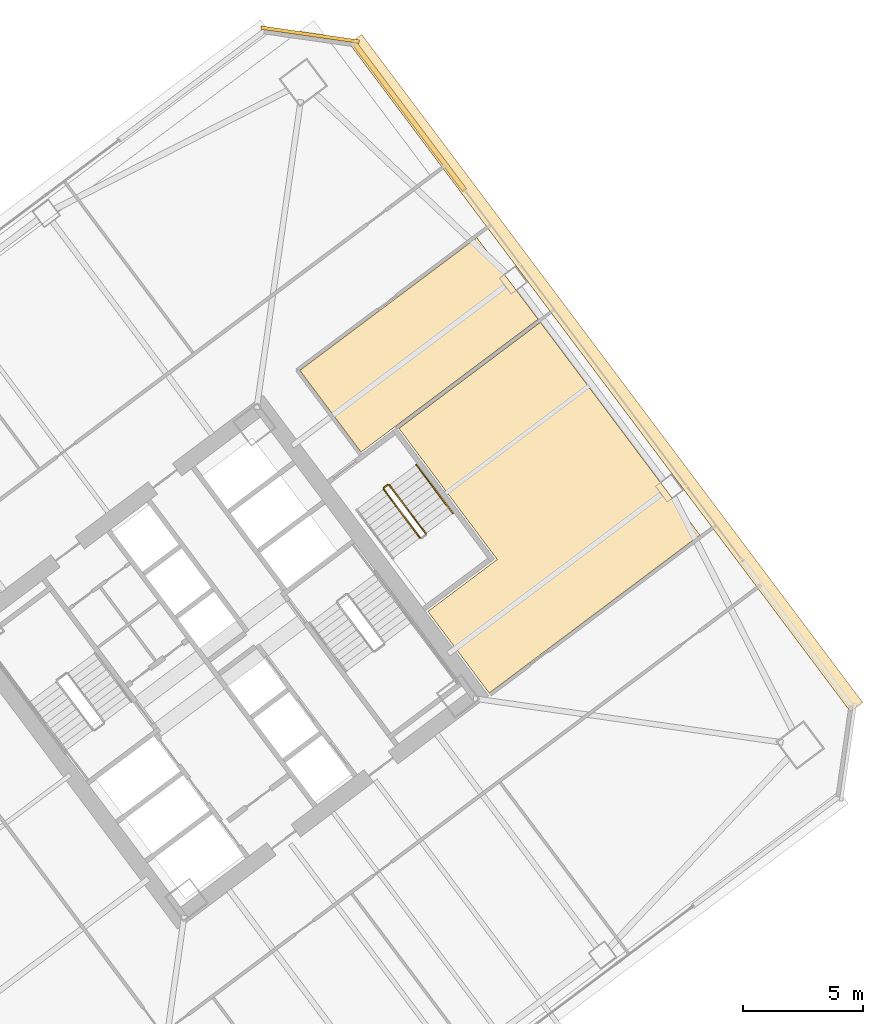
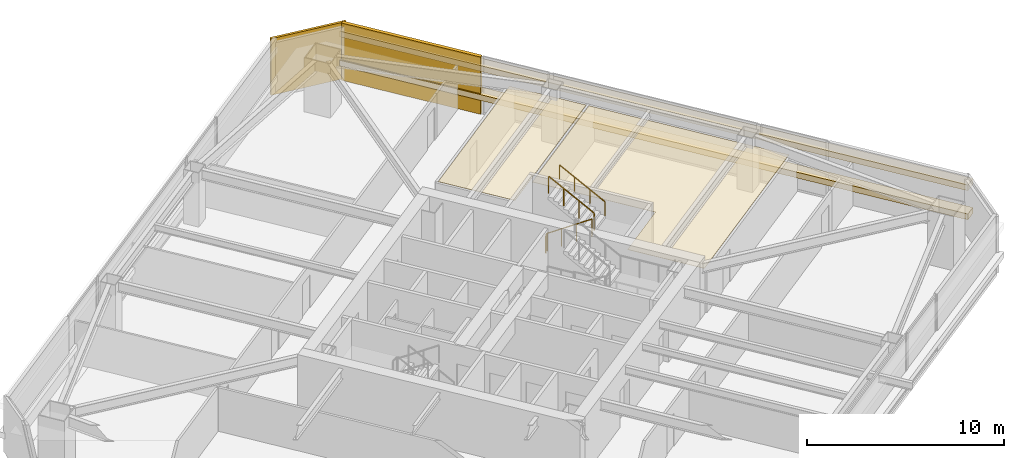
# One storey, part 44 of 44: 6 coverings, 4 railings.
"""IFC4 building model written with IfcOpenShell, lengths in metres."""

from ifc_helpers import new_model, si_unit, direction, frame, origin, origin_2d, place, context, subcontext, project, spatial, polyline, rectangle, outline, extrude, material, layer, layer_set, type_object, element, save


model = new_model("IFC4")

# Units and contexts
model_context = context("Model", 3, precision=1e-05, world=origin(), true_north=direction((0.0, 1.0)))
body_context = subcontext(model_context, "Body", "Model", "MODEL_VIEW")
ifc_project = project(units=[si_unit("LENGTHUNIT", "METRE"), si_unit("AREAUNIT", "SQUARE_METRE"), si_unit("VOLUMEUNIT", "CUBIC_METRE"), si_unit("PLANEANGLEUNIT", "RADIAN"), si_unit("MASSUNIT", "GRAM", prefix="KILO")], contexts=[model_context])

# Site, building, storey
site_placement = place(None, origin())
site = spatial("IfcSite", under=ifc_project, at=site_placement, CompositionType="ELEMENT")
building_placement = place(site_placement, origin())
building = spatial("IfcBuilding", under=site, at=building_placement, Name="Tashvorn Skyway Center", CompositionType="ELEMENT")
storey_placement = place(building_placement, frame((0.0, 0.0, 74.300048828125)))
storey = spatial("IfcBuildingStorey", under=building, at=storey_placement, Name="L19", CompositionType="ELEMENT", Elevation=74.300048828125)

# Coverings
ifc_material_1 = material(Name="Precast concrete C40/50", Category="concrete")
ifc_layer_1 = layer(ifc_material_1, 0.199951171875)
ifc_layer_set_1 = layer_set([ifc_layer_1], Name="Precast concrete C40/50")
covering_type_1 = type_object("IfcCoveringType", Name="COV-BRACE-CLAD", PredefinedType="CLADDING", material=ifc_layer_set_1)
covering_1_placement = place(storey_placement, frame((121.840087890625, 54.679931640625, 0.0), z_axis=(0.0, 0.0, 1.0), x_axis=(0.600000004945, -0.799999996291, 0.0)))
element("IfcCovering", 1, at=covering_1_placement, inside=storey, type_object=covering_type_1, Name="Tower 2 L19 East Unitised Curtain Wall Mega-Brace Cladding Band 1", PredefinedType="CLADDING", context=body_context, shape_type="SweptSolid", body=[
    extrude(rectangle(XDim=7.679931640625, YDim=0.199951171875, at=origin_2d()), origin(), (0.0, 0.0, 1.0), 3.550048828125),
])
ifc_material_2 = material(Name="Mineral-fibre acoustic ceiling tile on suspended grid")
ifc_layer_2 = layer(ifc_material_2, 0.02001953125)
ifc_layer_set_2 = layer_set([ifc_layer_2], Name="Mineral-fibre acoustic ceiling tile on suspended grid")
covering_type_2 = type_object("IfcCoveringType", Name="COV-CEIL-20", PredefinedType="CEILING", material=ifc_layer_set_2)
covering_2_placement = place(storey_placement, frame((0.0, 0.0, 2.682861328125)))
element("IfcCovering", 2, at=covering_2_placement, inside=storey, type_object=covering_type_2, Name="Tower 2 L19 Gallery Showroom Acoustic Ceiling", PredefinedType="CEILING", context=body_context, shape_type="SweptSolid", body=[
    extrude(outline(polyline([(119.840087890625, 40.72998046875), (117.2958984375, 44.1220703125), (124.64794921875, 49.635986328125), (127.19189453125, 46.243896484375), (119.840087890625, 40.72998046875)])), origin(), (0.0, 0.0, 1.0), 0.02001953125),
])
covering_3_placement = place(storey_placement, frame((0.0, 0.0, 2.682861328125)))
element("IfcCovering", 3, at=covering_3_placement, inside=storey, type_object=covering_type_2, Name="Tower 2 L19 Public Restroom Acoustic Ceiling", PredefinedType="CEILING", context=body_context, shape_type="SweptSolid", body=[
    extrude(outline(polyline([(125.159912109375, 30.719970703125), (122.615966796875, 34.112060546875), (125.49609375, 36.27197265625), (121.416015625, 41.7119140625), (127.2880859375, 46.115966796875), (131.367919921875, 40.676025390625), (133.912109375, 37.283935546875), (125.159912109375, 30.719970703125)])), origin(), (0.0, 0.0, 1.0), 0.02001953125),
])
ifc_material_3 = material(Name="Perforated ceramic-coated bronze aluminium solar screen", Category="aluminium")
ifc_layer_3 = layer(ifc_material_3, 0.85009765625)
ifc_layer_set_3 = layer_set([ifc_layer_3], Name="Perforated ceramic-coated bronze aluminium solar screen")
covering_type_3 = type_object("IfcCoveringType", Name="COV-SOLAR-BAND", PredefinedType="CLADDING", material=ifc_layer_set_3)
for number, where, z_axis, x_axis, name in (
    (4, (130.01611328125, 44.011962890625, 0.919921875), (0.0, 0.0, 1.0), (0.600000004945, -0.799999996291, 0.0), "L19 Perforated Ceramic-Metal Solar Screen Louvre Band East 1"),
    (5, (130.01611328125, 44.011962890625, 2.7197265625), (0.0, 0.0, 1.0), (0.600000004945, -0.799999996291, 0.0), "L19 Perforated Ceramic-Metal Solar Screen Louvre Band East 2"),
):
    element("IfcCovering", number, at=place(storey_placement, frame(where, z_axis=z_axis, x_axis=x_axis)), inside=storey, type_object=covering_type_3, Name=name, PredefinedType="CLADDING", context=body_context, shape_type="SweptSolid", body=[
        extrude(rectangle(XDim=34.679931640625, YDim=0.639892578125, at=origin_2d()), origin(), (0.0, 0.0, 1.0), 0.360107421875),
    ])
ifc_layer_4 = layer(ifc_material_1, 0.35009765625)
ifc_layer_set_4 = layer_set([ifc_layer_4], Name="Precast concrete C40/50")
covering_type_4 = type_object("IfcCoveringType", Name="COV-STONE-TRIM", PredefinedType="CLADDING", material=ifc_layer_set_4)
covering_4_placement = place(storey_placement, frame((117.72412109375, 58.068115234375, 0.02001953125), z_axis=(0.0, 0.0, 1.0), x_axis=(0.989949494535, -0.141421350118, 0.0)))
element("IfcCovering", 6, at=covering_4_placement, inside=storey, type_object=covering_type_4, Name="Tower 2 L19 NE Mojave Limestone Corner Quoin", PredefinedType="CLADDING", context=body_context, shape_type="SweptSolid", body=[
    extrude(rectangle(XDim=4.119873046875, YDim=0.139892578125, at=origin_2d()), origin(), (0.0, 0.0, 1.0), 3.510009765625),
])

# Railings
ifc_material_4 = material(Name="Brushed stainless steel 316", Category="steel")
railing_type_1 = type_object("IfcRailingType", Name="RAIL-HAND-920", PredefinedType="HANDRAIL", material=ifc_material_4)
railing_1_placement = place(storey_placement, frame((123.64794921875, 38.18603515625, 1.952392578125)))
element("IfcRailing", 7, at=railing_1_placement, inside=storey, type_object=railing_type_1, Name="L19 ST-T2-3 stair handrail 2", PredefinedType="HANDRAIL", context=body_context, shape_type="SweptSolid", body=[
    extrude(rectangle(XDim=0.048095703125, YDim=0.048095703125, at=origin_2d()), frame((0.0, 0.0, 0.8759765625), z_axis=(-0.50674661542, 0.675634878657, 0.535467439255), x_axis=(-0.79998837352, -0.60001550166, 0.0)), (0.0, 0.0, 1.0), 2.983642578125),
    extrude(rectangle(XDim=0.0419921875, YDim=0.0419921875, at=origin_2d()), origin(), (0.0, 0.0, 1.0), 0.851806640625),
    extrude(rectangle(XDim=0.0419921875, YDim=0.0419921875, at=origin_2d()), frame((-0.50390625, 0.671875, 0.532470703125)), (0.0, 0.0, 1.0), 0.851806640625),
    extrude(rectangle(XDim=0.0419921875, YDim=0.0419921875, at=origin_2d()), frame((-1.008056640625, 1.343994140625, 1.065185546875)), (0.0, 0.0, 1.0), 0.851806640625),
    extrude(rectangle(XDim=0.0419921875, YDim=0.0419921875, at=origin_2d()), frame((-1.511962890625, 2.015869140625, 1.59765625)), (0.0, 0.0, 1.0), 0.851806640625),
])
ifc_material_5 = material(Name="Painted galvanized steel S355", Category="steel")
railing_type_2 = type_object("IfcRailingType", Name="RAIL-STGUARD-1100", PredefinedType="GUARDRAIL", material=ifc_material_5)
railing_2_placement = place(storey_placement, frame((120.77587890625, 39.181884765625, 0.177490234375)))
element("IfcRailing", 8, at=railing_2_placement, inside=storey, type_object=railing_type_2, Name="L19 ST-T2-3 stair guard 1", PredefinedType="GUARDRAIL", context=body_context, shape_type="SweptSolid", body=[
    extrude(rectangle(XDim=0.048095703125, YDim=0.048095703125, at=origin_2d()), frame((0.0, 0.0, 1.076171875), z_axis=(0.506829628838, -0.67563646195, 0.535386868177), x_axis=(0.799941867976, 0.600077501544, 0.0)), (0.0, 0.0, 1.0), 2.983642578125),
    extrude(rectangle(XDim=0.0419921875, YDim=0.0419921875, at=origin_2d()), origin(), (0.0, 0.0, 1.0), 1.052001953125),
    extrude(rectangle(XDim=0.0419921875, YDim=0.0419921875, at=origin_2d()), frame((0.504150390625, -0.671875, 0.532470703125)), (0.0, 0.0, 1.0), 1.052001953125),
    extrude(rectangle(XDim=0.0419921875, YDim=0.0419921875, at=origin_2d()), frame((1.008056640625, -1.343994140625, 1.06494140625)), (0.0, 0.0, 1.0), 1.052001953125),
    extrude(rectangle(XDim=0.0419921875, YDim=0.0419921875, at=origin_2d()), frame((1.51220703125, -2.015869140625, 1.597412109375)), (0.0, 0.0, 1.0), 1.052001953125),
])
railing_3_placement = place(storey_placement, frame((122.528076171875, 37.345947265625, 1.952392578125)))
element("IfcRailing", 9, at=railing_3_placement, inside=storey, type_object=railing_type_2, Name="L19 ST-T2-3 stair guard 3", PredefinedType="GUARDRAIL", context=body_context, shape_type="SweptSolid", body=[
    extrude(rectangle(XDim=0.048095703125, YDim=0.048095703125, at=origin_2d()), frame((0.0, 0.0, 1.076171875), z_axis=(-0.506718600913, 0.675679348675, 0.535437836974), x_axis=(-0.800023250257, -0.599968998406, 0.0)), (0.0, 0.0, 1.0), 2.98388671875),
    extrude(rectangle(XDim=0.0419921875, YDim=0.0419921875, at=origin_2d()), origin(), (0.0, 0.0, 1.0), 1.052001953125),
    extrude(rectangle(XDim=0.0419921875, YDim=0.0419921875, at=origin_2d()), frame((-0.50390625, 0.672119140625, 0.532470703125)), (0.0, 0.0, 1.0), 1.052001953125),
    extrude(rectangle(XDim=0.0419921875, YDim=0.0419921875, at=origin_2d()), frame((-1.008056640625, 1.343994140625, 1.065185546875)), (0.0, 0.0, 1.0), 1.052001953125),
    extrude(rectangle(XDim=0.0419921875, YDim=0.0419921875, at=origin_2d()), frame((-1.511962890625, 2.01611328125, 1.59765625)), (0.0, 0.0, 1.0), 1.052001953125),
])
railing_4_placement = place(storey_placement, frame((120.785888671875, 39.251953125, 0.0)))
element("IfcRailing", 10, at=railing_4_placement, inside=storey, type_object=railing_type_2, Name="L19 ST-T2-3 stair guard 4", PredefinedType="GUARDRAIL", context=body_context, shape_type="SweptSolid", body=[
    extrude(rectangle(XDim=0.048095703125, YDim=0.048095703125, at=origin_2d()), frame((0.0, 0.0, 1.076171875), z_axis=(0.8, 0.6, 0.0), x_axis=(-0.6, 0.8, 0.0)), (0.0, 0.0, 1.0), 0.2001953125),
    extrude(rectangle(XDim=0.0419921875, YDim=0.0419921875, at=origin_2d()), origin(), (0.0, 0.0, 1.0), 1.052001953125),
    extrude(rectangle(XDim=0.0419921875, YDim=0.0419921875, at=origin_2d()), frame((0.16015625, 0.1201171875, 0.0)), (0.0, 0.0, 1.0), 1.052001953125),
])

save(model, "model.ifc")
